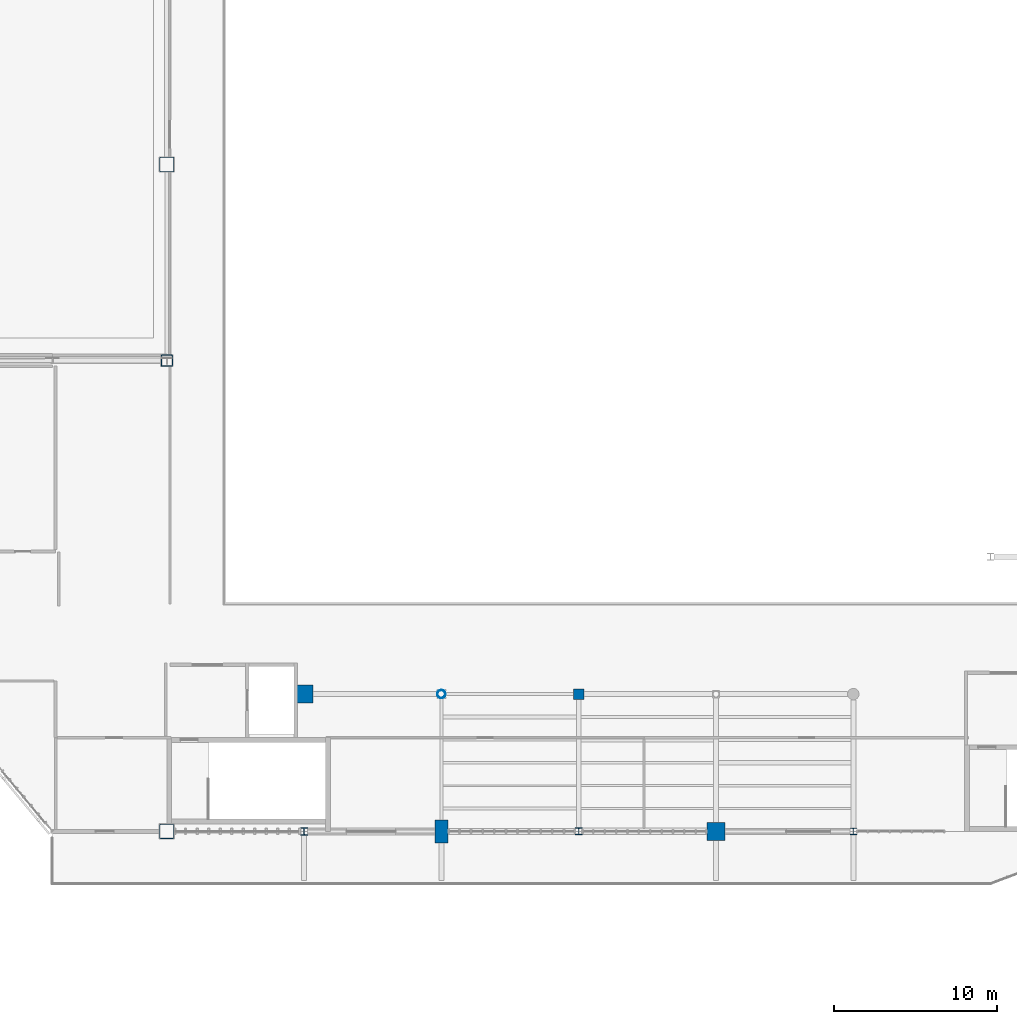
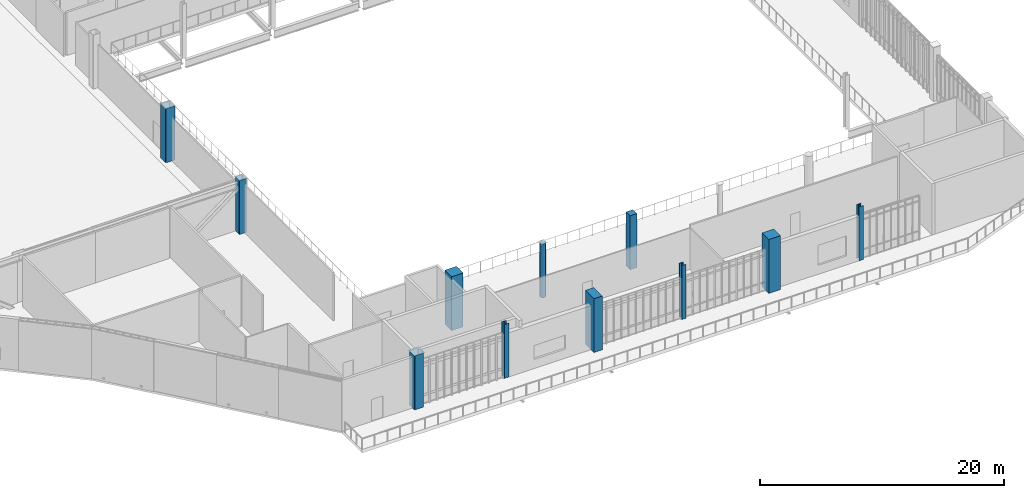
# One storey, part 1 of 135: 11 columns.
"""IFC4 building model written with IfcOpenShell, lengths in metres."""

from ifc_helpers import new_model, si_unit, direction, frame, origin, origin_2d, place, context, subcontext, project, spatial, rectangle, hollow_rectangle, hollow_circle, i_section, extrude, material, material_profile, profile_set, type_object, element, save


model = new_model("IFC4")

# Units and contexts
model_context = context("Model", 3, precision=1e-05, world=origin(), true_north=direction((0.0, 1.0)))
body_context = subcontext(model_context, "Body", "Model", "MODEL_VIEW")
ifc_project = project(units=[si_unit("LENGTHUNIT", "METRE"), si_unit("AREAUNIT", "SQUARE_METRE"), si_unit("VOLUMEUNIT", "CUBIC_METRE"), si_unit("PLANEANGLEUNIT", "RADIAN"), si_unit("MASSUNIT", "GRAM", prefix="KILO")], contexts=[model_context])

# Site, building, storey
site_placement = place(None, origin())
site = spatial("IfcSite", under=ifc_project, at=site_placement, CompositionType="ELEMENT")
building_placement = place(site_placement, origin())
building = spatial("IfcBuilding", under=site, at=building_placement, Name="Larkvane Passage Sports Hall", CompositionType="ELEMENT")
storey_placement = place(building_placement, frame((0.0, 0.0, 16.800048828125)))
storey = spatial("IfcBuildingStorey", under=building, at=storey_placement, Name="L03", CompositionType="ELEMENT", Elevation=16.800048828125)

# Columns
ifc_material_1 = material(Name="Concrete C50/60", Category="concrete")
ifc_material_profile_1 = material_profile(ifc_material_1, rectangle(XDim=1.10009765625, YDim=1.10009765625, at=origin_2d()), Name="RC-COL-1100x1100")
ifc_profile_set_1 = profile_set([ifc_material_profile_1], Name="Concrete C50/60")
column_type_1 = type_object("IfcColumnType", Name="COL-RC-1100", PredefinedType="COLUMN", material=ifc_profile_set_1)
for number, where, z_axis, x_axis, name in (
    (1, (43.199951171875, 31.199951171875, 0.0), (0.0, 0.0, 1.0), (1.0, 0.0, 0.0), "Column 7/E L03"),
    (2, (68.39990234375, 22.800048828125, 0.0), (0.0, 0.0, 1.0), (1.0, 0.0, 0.0), "Column 10/D L03"),
):
    element("IfcColumn", number, at=place(storey_placement, frame(where, z_axis=z_axis, x_axis=x_axis)), inside=storey, type_object=column_type_1, Name=name, PredefinedType="COLUMN", context=body_context, shape_type="SweptSolid", body=[
        extrude(rectangle(XDim=1.10009765625, YDim=1.10009765625, at=origin_2d()), origin(), (0.0, 0.0, 1.0), 5.39990234375),
    ])
ifc_material_2 = material(Name="Concrete C40/50", Category="concrete")
ifc_material_profile_2 = material_profile(ifc_material_2, rectangle(XDim=0.64990234375, YDim=0.64990234375, at=origin_2d()), Name="RC-COL-650x650")
ifc_profile_set_2 = profile_set([ifc_material_profile_2], Name="Concrete C40/50")
column_type_2 = type_object("IfcColumnType", Name="COL-RC-650", PredefinedType="COLUMN", material=ifc_profile_set_2)
column_1_placement = place(storey_placement, frame((60.0, 31.199951171875, 0.0), z_axis=(0.0, 0.0, 1.0), x_axis=(1.0, 0.0, 0.0)))
element("IfcColumn", 3, at=column_1_placement, inside=storey, type_object=column_type_2, Name="Column 9/E L03", PredefinedType="COLUMN", context=body_context, shape_type="SweptSolid", body=[
    extrude(rectangle(XDim=0.64990234375, YDim=0.64990234375, at=origin_2d()), origin(), (0.0, 0.0, 1.0), 5.39990234375),
])
ifc_material_profile_3 = material_profile(ifc_material_1, rectangle(XDim=0.800048828125, YDim=1.39990234375, at=origin_2d()), Name="RC-COL-800x1400")
ifc_profile_set_3 = profile_set([ifc_material_profile_3], Name="Concrete C50/60")
column_type_3 = type_object("IfcColumnType", Name="COL-RC-800x1400", PredefinedType="COLUMN", material=ifc_profile_set_3)
column_2_placement = place(storey_placement, frame((51.60009765625, 22.800048828125, 0.0), z_axis=(0.0, 0.0, 1.0), x_axis=(1.0, 0.0, 0.0)))
element("IfcColumn", 4, at=column_2_placement, inside=storey, type_object=column_type_3, Name="Column 8/D L03", PredefinedType="COLUMN", context=body_context, shape_type="SweptSolid", body=[
    extrude(rectangle(XDim=0.800048828125, YDim=1.39990234375, at=origin_2d()), origin(), (0.0, 0.0, 1.0), 5.39990234375),
])
ifc_material_3 = material(Name="Steel S460N", Category="steel")
ifc_material_profile_4 = material_profile(ifc_material_3, hollow_rectangle(XDim=0.699951171875, YDim=0.699951171875, WallThickness=0.028076171875, InnerFilletRadius=0.028076171875, OuterFilletRadius=0.055908203125, at=origin_2d()), Name="BOX-700x700x28")
ifc_profile_set_4 = profile_set([ifc_material_profile_4], Name="Steel S460N")
column_type_4 = type_object("IfcColumnType", Name="COL-STL-BOX700", PredefinedType="COLUMN", material=ifc_profile_set_4)
column_3_placement = place(storey_placement, frame((34.800048828125, 51.60009765625, 0.0), z_axis=(0.0, 0.0, 1.0), x_axis=(1.0, 0.0, 0.0)))
element("IfcColumn", 5, at=column_3_placement, inside=storey, type_object=column_type_4, Name="Column 6/G L03", PredefinedType="COLUMN", context=body_context, shape_type="SweptSolid", body=[
    extrude(hollow_rectangle(XDim=0.699951171875, YDim=0.699951171875, WallThickness=0.028076171875, InnerFilletRadius=0.028076171875, OuterFilletRadius=0.055908203125, at=origin_2d()), origin(), (0.0, 0.0, 1.0), 5.39990234375),
])
ifc_material_profile_5 = material_profile(ifc_material_3, hollow_rectangle(XDim=0.89990234375, YDim=0.89990234375, WallThickness=0.035888671875, InnerFilletRadius=0.035888671875, OuterFilletRadius=0.072021484375, at=origin_2d()), Name="BOX-900x900x36")
ifc_profile_set_5 = profile_set([ifc_material_profile_5], Name="Steel S460N")
column_type_5 = type_object("IfcColumnType", Name="COL-STL-BOX900", PredefinedType="COLUMN", material=ifc_profile_set_5)
for number, where, z_axis, x_axis, name in (
    (6, (34.800048828125, 22.800048828125, 0.0), (0.0, 0.0, 1.0), (1.0, 0.0, 0.0), "Column 6/D L03"),
    (7, (34.800048828125, 63.60009765625, 0.0), (0.0, 0.0, 1.0), (1.0, 0.0, 0.0), "Column 6/H L03"),
):
    element("IfcColumn", number, at=place(storey_placement, frame(where, z_axis=z_axis, x_axis=x_axis)), inside=storey, type_object=column_type_5, Name=name, PredefinedType="COLUMN", context=body_context, shape_type="SweptSolid", body=[
        extrude(hollow_rectangle(XDim=0.89990234375, YDim=0.89990234375, WallThickness=0.035888671875, InnerFilletRadius=0.035888671875, OuterFilletRadius=0.072021484375, at=origin_2d()), origin(), (0.0, 0.0, 1.0), 5.39990234375),
    ])
ifc_material_profile_6 = material_profile(ifc_material_3, hollow_circle(Radius=0.25390625, WallThickness=0.01904296875, at=origin_2d()), Name="CHS-508.0x19.0")
ifc_profile_set_6 = profile_set([ifc_material_profile_6], Name="Steel S460N")
column_type_6 = type_object("IfcColumnType", Name="COL-STL-CHS508", PredefinedType="COLUMN", material=ifc_profile_set_6)
column_4_placement = place(storey_placement, frame((51.60009765625, 31.199951171875, 0.0), z_axis=(0.0, 0.0, 1.0), x_axis=(1.0, 0.0, 0.0)))
element("IfcColumn", 8, at=column_4_placement, inside=storey, type_object=column_type_6, Name="Column 8/E L03", PredefinedType="COLUMN", context=body_context, shape_type="SweptSolid", body=[
    extrude(hollow_circle(Radius=0.25390625, WallThickness=0.01904296875, at=origin_2d()), origin(), (0.0, 0.0, 1.0), 5.39990234375),
])
ifc_material_profile_7 = material_profile(ifc_material_3, i_section(OverallWidth=0.405029296875, OverallDepth=0.4140625, WebThickness=0.01806640625, FlangeThickness=0.028076171875, FilletRadius=0.02197265625, at=origin_2d()), Name="H-414x405x18x28")
ifc_profile_set_7 = profile_set([ifc_material_profile_7], Name="Steel S460N")
column_type_7 = type_object("IfcColumnType", Name="COL-STL-H414", PredefinedType="COLUMN", material=ifc_profile_set_7)
column_5_placement = place(storey_placement, frame((76.800048828125, 22.800048828125, 0.0), z_axis=(0.0, 0.0, 1.0), x_axis=(1.0, 0.0, 0.0)))
element("IfcColumn", 9, at=column_5_placement, inside=storey, type_object=column_type_7, Name="Column 11/D L03", PredefinedType="COLUMN", context=body_context, shape_type="SweptSolid", body=[
    extrude(i_section(OverallWidth=0.405029296875, OverallDepth=0.4140625, WebThickness=0.01806640625, FlangeThickness=0.028076171875, FilletRadius=0.02197265625, at=origin_2d()), origin(), (0.0, 0.0, 1.0), 5.39990234375),
])
ifc_material_profile_8 = material_profile(ifc_material_3, i_section(OverallWidth=0.406982421875, OverallDepth=0.427978515625, WebThickness=0.02001953125, FlangeThickness=0.034912109375, FilletRadius=0.02197265625, at=origin_2d()), Name="H-428x407x20x35")
ifc_profile_set_8 = profile_set([ifc_material_profile_8], Name="Steel S460N")
column_type_8 = type_object("IfcColumnType", Name="COL-STL-H428", PredefinedType="COLUMN", material=ifc_profile_set_8)
column_6_placement = place(storey_placement, frame((60.0, 22.800048828125, 0.0), z_axis=(0.0, 0.0, 1.0), x_axis=(1.0, 0.0, 0.0)))
element("IfcColumn", 10, at=column_6_placement, inside=storey, type_object=column_type_8, Name="Column 9/D L03", PredefinedType="COLUMN", context=body_context, shape_type="SweptSolid", body=[
    extrude(i_section(OverallWidth=0.406982421875, OverallDepth=0.427978515625, WebThickness=0.02001953125, FlangeThickness=0.034912109375, FilletRadius=0.02197265625, at=origin_2d()), origin(), (0.0, 0.0, 1.0), 5.39990234375),
])
ifc_material_profile_9 = material_profile(ifc_material_3, i_section(OverallWidth=0.4169921875, OverallDepth=0.4580078125, WebThickness=0.030029296875, FlangeThickness=0.0400390625, FilletRadius=0.02197265625, at=origin_2d()), Name="H-458x417x30x40")
ifc_profile_set_9 = profile_set([ifc_material_profile_9], Name="Steel S460N")
column_type_9 = type_object("IfcColumnType", Name="COL-STL-H458", PredefinedType="COLUMN", material=ifc_profile_set_9)
column_7_placement = place(storey_placement, frame((43.199951171875, 22.800048828125, 0.0), z_axis=(0.0, 0.0, 1.0), x_axis=(1.0, 0.0, 0.0)))
element("IfcColumn", 11, at=column_7_placement, inside=storey, type_object=column_type_9, Name="Column 7/D L03", PredefinedType="COLUMN", context=body_context, shape_type="SweptSolid", body=[
    extrude(i_section(OverallWidth=0.4169921875, OverallDepth=0.4580078125, WebThickness=0.030029296875, FlangeThickness=0.0400390625, FilletRadius=0.02197265625, at=origin_2d()), origin(), (0.0, 0.0, 1.0), 5.39990234375),
])

save(model, "model.ifc")
